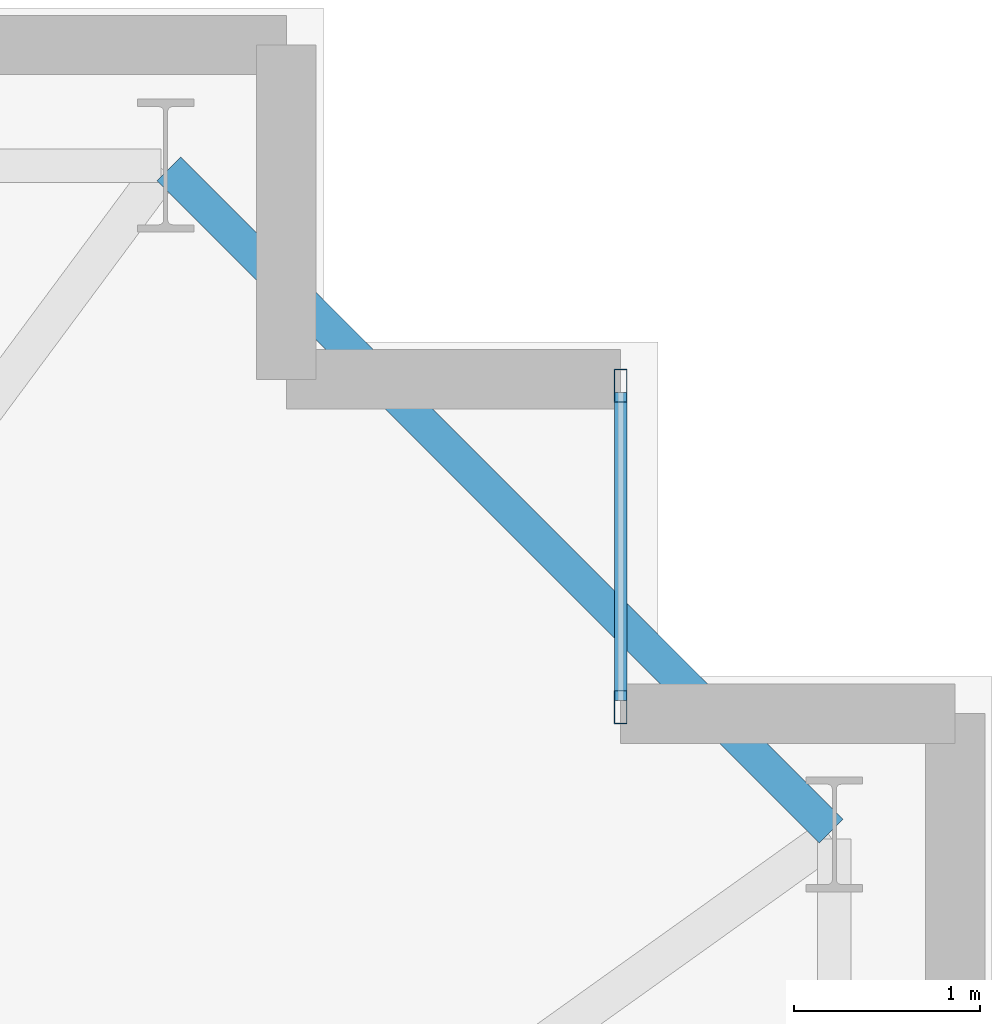
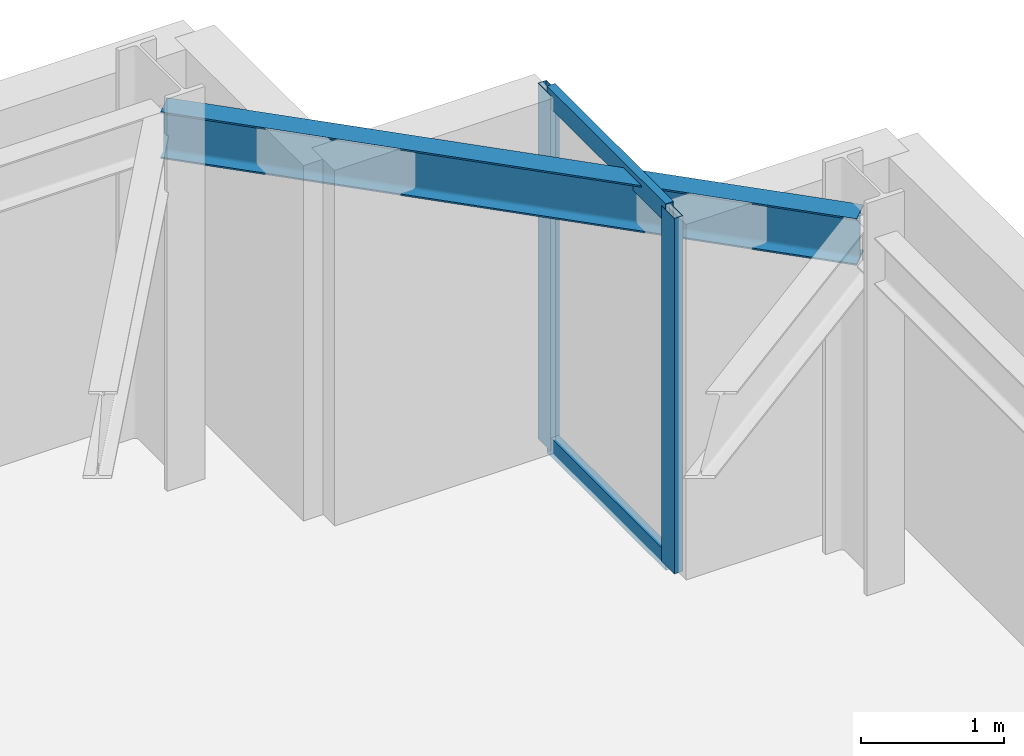
# One storey, part 16 of 24: 4 members, 1 beam, 1 element without a shape of its own.
"""IFC4 building model written with IfcOpenShell, lengths in metres."""

from ifc_helpers import new_model, si_unit, direction, frame, origin, origin_2d, place, context, subcontext, project, spatial, hollow_rectangle, i_section, extrude, material, layer, layer_set, material_profile, profile_set, type_object, element, aggregate, save


model = new_model("IFC4")

# Units and contexts
model_context = context("Model", 3, precision=1e-05, world=origin(), true_north=direction((0.0, 1.0)))
body_context = subcontext(model_context, "Body", "Model", "MODEL_VIEW")
ifc_project = project(units=[si_unit("LENGTHUNIT", "METRE"), si_unit("AREAUNIT", "SQUARE_METRE"), si_unit("VOLUMEUNIT", "CUBIC_METRE"), si_unit("PLANEANGLEUNIT", "RADIAN"), si_unit("MASSUNIT", "GRAM", prefix="KILO")], contexts=[model_context])

# Site, building, storey
site_placement = place(None, origin())
site = spatial("IfcSite", under=ifc_project, at=site_placement, CompositionType="ELEMENT")
building_placement = place(site_placement, origin())
building = spatial("IfcBuilding", under=site, at=building_placement, Name="Qobustan Lattice House", CompositionType="ELEMENT")
storey_placement = place(building_placement, frame((0.0, 0.0, 43.75)))
storey = spatial("IfcBuildingStorey", under=building, at=storey_placement, Name="L11", CompositionType="ELEMENT", Elevation=43.75)

# Beam
ifc_material_1 = material(Name="Steel S355", Category="steel")
ifc_material_profile_1 = material_profile(ifc_material_1, i_section(OverallWidth=0.179931640625, OverallDepth=0.39990234375, WebThickness=0.008544921875, FlangeThickness=0.013427734375, FilletRadius=0.02099609375, at=origin_2d()), Name="IPE400")
ifc_profile_set_1 = profile_set([ifc_material_profile_1], Name="Steel S355")
beam_type = type_object("IfcBeamType", Name="BM-SPD-IPE400", PredefinedType="SPANDREL", material=ifc_profile_set_1)
beam_placement = place(storey_placement, frame((32.13232421875, 15.167724609375, 2.8349609375), z_axis=(-0.707106781187, 0.707106781187, 0.0), x_axis=(-0.707106781187, -0.707106781187, 0.0)))
element("IfcBeam", 1, at=beam_placement, inside=storey, type_object=beam_type, Name="L11 perimeter spandrel E4-N1", PredefinedType="SPANDREL", context=body_context, shape_type="SweptSolid", body=[
    extrude(i_section(OverallWidth=0.179931640625, OverallDepth=0.39990234375, WebThickness=0.008544921875, FlangeThickness=0.013427734375, FilletRadius=0.02099609375, at=origin_2d()), origin(), (0.0, 0.0, 1.0), 5.041259765625),
])

# Curtain wall, members
ifc_material_2 = material(Name="Anodised aluminium and low-E glazing", Category="aluminium")
ifc_layer = layer(ifc_material_2, 0.219970703125)
ifc_layer_set = layer_set([ifc_layer], Name="Anodised aluminium and low-E glazing")
curtain_wall_type = type_object("IfcCurtainWallType", Name="CW-FAC-01", PredefinedType="USERDEFINED", material=ifc_layer_set)
curtain_wall_placement = place(storey_placement, origin())
curtain_wall = element("IfcCurtainWall", 2, at=curtain_wall_placement, inside=storey, type_object=curtain_wall_type, Name="L11 serrated corner faceted glazing 13", ObjectType="CURTAIN WALL", PredefinedType="USERDEFINED")
ifc_material_3 = material(Name="Anodised aluminium EN AW-6063 T6", Category="aluminium")
ifc_material_profile_2 = material_profile(ifc_material_3, hollow_rectangle(XDim=0.070068359375, YDim=0.179931640625, WallThickness=0.00439453125, at=origin_2d()), Name="CWM-180x70")
ifc_profile_set_2 = profile_set([ifc_material_profile_2], Name="Anodised aluminium EN AW-6063 T6")
member_type_1 = type_object("IfcMemberType", Name="CWM-STD-180", PredefinedType="MULLION", material=ifc_profile_set_2)
member_1_placement = place(storey_placement, frame((31.0, 17.56494140625, 0.0), z_axis=(0.0, 0.0, 1.0), x_axis=(1.0, 0.0, 0.0)))
member_1 = element("IfcMember", 3, at=member_1_placement, type_object=member_type_1, Name="CW-F1 mullion 1", PredefinedType="MULLION", context=body_context, shape_type="SweptSolid", body=[
    extrude(hollow_rectangle(XDim=0.070068359375, YDim=0.179931640625, WallThickness=0.00439453125, at=origin_2d()), origin(), (0.0, 0.0, 1.0), 3.034912109375),
])
member_2_placement = place(storey_placement, frame((31.0, 15.8349609375, 0.0), z_axis=(0.0, 0.0, 1.0), x_axis=(1.0, 0.0, 0.0)))
member_2 = element("IfcMember", 4, at=member_2_placement, type_object=member_type_1, Name="CW-F1 mullion 2", PredefinedType="MULLION", context=body_context, shape_type="SweptSolid", body=[
    extrude(hollow_rectangle(XDim=0.070068359375, YDim=0.179931640625, WallThickness=0.00439453125, at=origin_2d()), origin(), (0.0, 0.0, 1.0), 3.034912109375),
])
ifc_material_4 = material(Name="Anodised aluminium EN AW-6063 T6", Category="aluminium")
ifc_material_profile_3 = material_profile(ifc_material_4, hollow_rectangle(XDim=0.06494140625, YDim=0.159912109375, WallThickness=0.00390625, at=origin_2d()), Name="CWT-160x65")
ifc_profile_set_3 = profile_set([ifc_material_profile_3], Name="Anodised aluminium EN AW-6063 T6")
member_type_2 = type_object("IfcMemberType", Name="CWT-HOR-160", PredefinedType="USERDEFINED", material=ifc_profile_set_3)
member_3_placement = place(storey_placement, frame((31.0, 17.530029296875, 0.032470703125), z_axis=(0.0, -1.0, 0.0), x_axis=(1.0, 0.0, 0.0)))
member_3 = element("IfcMember", 5, at=member_3_placement, type_object=member_type_2, Name="CW-F1 transom 1.1", ObjectType="TRANSOM", PredefinedType="USERDEFINED", context=body_context, shape_type="SweptSolid", body=[
    extrude(hollow_rectangle(XDim=0.06494140625, YDim=0.159912109375, WallThickness=0.00390625, at=origin_2d()), origin(), (0.0, 0.0, 1.0), 1.659912109375),
])
member_4_placement = place(storey_placement, frame((31.0, 17.530029296875, 3.00244140625), z_axis=(0.0, -1.0, 0.0), x_axis=(1.0, 0.0, 0.0)))
member_4 = element("IfcMember", 6, at=member_4_placement, type_object=member_type_2, Name="CW-F1 transom 1.2", ObjectType="TRANSOM", PredefinedType="USERDEFINED", context=body_context, shape_type="SweptSolid", body=[
    extrude(hollow_rectangle(XDim=0.06494140625, YDim=0.159912109375, WallThickness=0.00390625, at=origin_2d()), origin(), (0.0, 0.0, 1.0), 1.659912109375),
])
aggregate(curtain_wall, [member_1, member_2, member_3, member_4])

save(model, "model.ifc")
